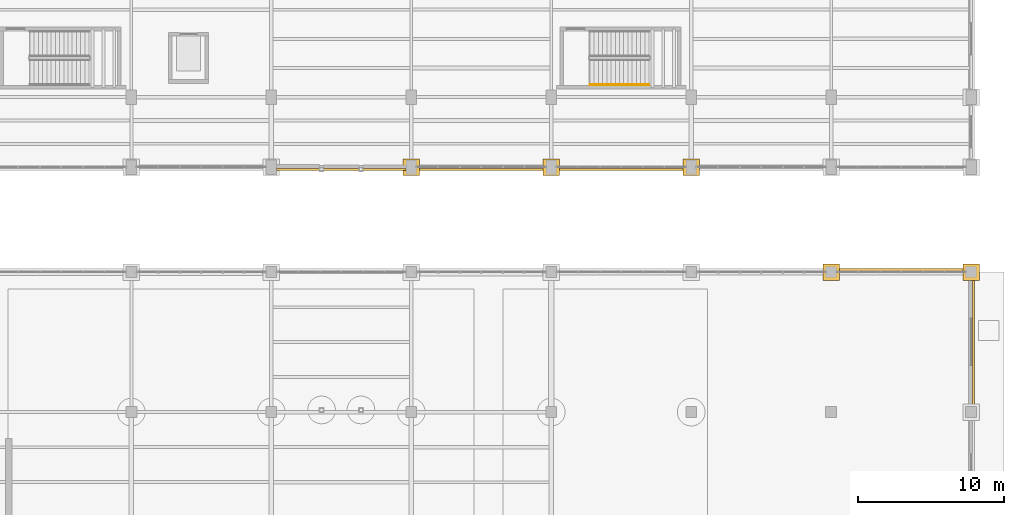
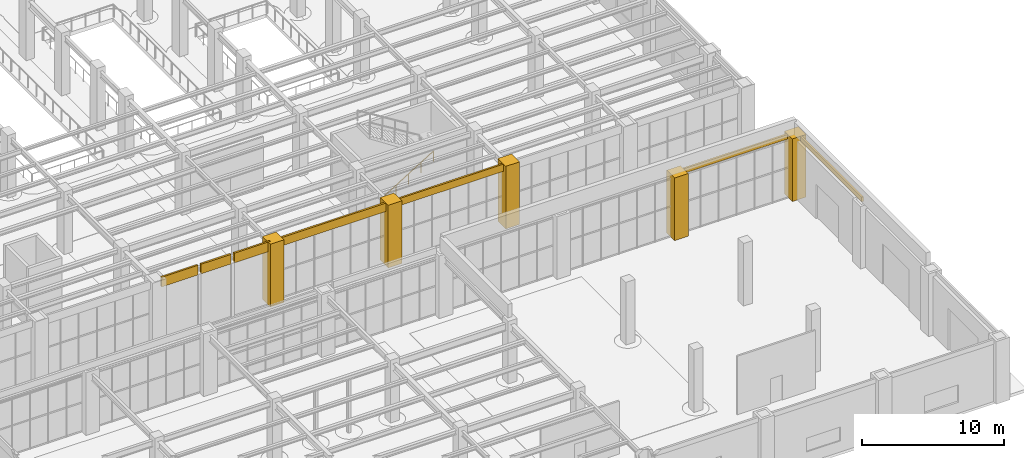
# One storey, part 159 of 164: 12 coverings, 1 railing.
"""IFC4 building model written with IfcOpenShell, lengths in metres."""

import ifcopenshell
import ifcopenshell.guid

model = None  # the IFC model being written
_history = None  # IfcOwnerHistory: only IFC2X3 demands one
_inside = {}  # id of a spatial element -> (the spatial element, [elements in it])
_under = {}  # id of a project, library or spatial element -> (it, [spatial elements below it])
_declared = {}  # id of a project -> (the project, [libraries it declares])
_typed = {}  # id of a type object -> (the type object, [elements of that type])
_made_of = {}  # id of a material, layer set ... -> (it, [elements and type objects made of it])


def new_model(schema):
    """Start an empty IFC model of exactly this schema.

    Asked for "IFC4X3", IfcOpenShell would pick the latest addendum, in which some entities
    have other attributes; the version numbers below select the first issue.
    IFC2X3 requires an IfcOwnerHistory on every rooted entity: one is made here for all.
    """
    global model, _history
    if schema == "IFC4X3":
        model = ifcopenshell.file(schema_version=(4, 3, 0, 0))
    else:
        model = ifcopenshell.file(schema=schema)
    _inside.clear()
    _under.clear()
    _declared.clear()
    _typed.clear()
    _made_of.clear()
    _history = None
    if model.schema == "IFC2X3":
        org = make("IfcOrganization", Name="unknown")
        user = make(
            "IfcPersonAndOrganization",
            ThePerson=make("IfcPerson", FamilyName="unknown"),
            TheOrganization=org,
        )
        app = make(
            "IfcApplication",
            ApplicationDeveloper=org,
            Version="unknown",
            ApplicationFullName="unknown",
            ApplicationIdentifier="unknown",
        )
        _history = make(
            "IfcOwnerHistory",
            OwningUser=user,
            OwningApplication=app,
            ChangeAction="ADDED",
            CreationDate=0,
        )
    return model


def make(cls, **values):
    """One entity of the class cls with the attributes given. An attribute that is None is left unset."""
    return model.create_entity(
        cls, **{name: value for name, value in values.items() if value is not None}
    )


def rooted(cls, **values):
    """An entity with a GlobalId (a new one), such as an element, a storey or a relation."""
    return make(cls, GlobalId=ifcopenshell.guid.new(), OwnerHistory=_history, **values)


def si_unit(unit_type, name, prefix=None):
    """IfcSIUnit, for example si_unit("LENGTHUNIT", "METRE", prefix="MILLI")."""
    return make("IfcSIUnit", UnitType=unit_type, Prefix=prefix, Name=name)


def assignment(units):
    """IfcUnitAssignment: the units of a project."""
    return None if units is None else make("IfcUnitAssignment", Units=units)


def point(xyz):
    """IfcCartesianPoint."""
    return None if xyz is None else make("IfcCartesianPoint", Coordinates=xyz)


def direction(xyz):
    """IfcDirection."""
    return None if xyz is None else make("IfcDirection", DirectionRatios=xyz)


def frame(location, z_axis=None, x_axis=None):
    """IfcAxis2Placement3D, a coordinate frame: its origin and axes. An axis left out is left unset."""
    return make(
        "IfcAxis2Placement3D",
        Location=point(location),
        Axis=direction(z_axis),
        RefDirection=direction(x_axis),
    )


def frame_2d(location, x_axis=None):
    """IfcAxis2Placement2D, a coordinate frame in the plane: its origin and x axis."""
    return make(
        "IfcAxis2Placement2D", Location=point(location), RefDirection=direction(x_axis)
    )


def origin():
    """The frame at (0, 0, 0) with its axes left unset."""
    return frame((0.0, 0.0, 0.0))


def origin_2d():
    """The frame at (0, 0) in the plane with its x axis left unset."""
    return frame_2d((0.0, 0.0))


def place(relative_to, where):
    """IfcLocalPlacement: puts the frame where relative to a parent placement (None: the world)."""
    return make(
        "IfcLocalPlacement", PlacementRelTo=relative_to, RelativePlacement=where
    )


def context(
    kind, dimensions, precision=None, world=None, true_north=None, identifier=None
):
    """IfcGeometricRepresentationContext, for example the 3D "Model" context."""
    return make(
        "IfcGeometricRepresentationContext",
        ContextIdentifier=identifier,
        ContextType=kind,
        CoordinateSpaceDimension=dimensions,
        Precision=precision,
        WorldCoordinateSystem=world,
        TrueNorth=true_north,
    )


def subcontext(parent, identifier, kind, view, scale=None):
    """IfcGeometricRepresentationSubContext, for example "Body" below "Model"."""
    return make(
        "IfcGeometricRepresentationSubContext",
        ContextIdentifier=identifier,
        ContextType=kind,
        ParentContext=parent,
        TargetScale=scale,
        TargetView=view,
    )


def project(units=None, contexts=None):
    """IfcProject with its units and contexts."""
    return rooted(
        "IfcProject",
        Name="project",
        RepresentationContexts=contexts,
        UnitsInContext=assignment(units),
    )


def spatial(cls, under=None, at=None, **own):
    """A site, building, storey or space (cls), placed at a placement, below another one or the project."""
    s = rooted(cls, ObjectPlacement=at, **own)
    if under is not None:
        _under.setdefault(under.id(), (under, []))[1].append(s)
    return s


def polyline(points):
    """IfcPolyline through the points."""
    return make("IfcPolyline", Points=[point(p) for p in points])


def profile(cls, at=None, kind="AREA", **sizes):
    """A parametric profile (cls). Its sizes go by their IFC names, for example OverallWidth=200.0."""
    return make(cls, ProfileType=kind, Position=at, **sizes)


def circle(**sizes):
    """IfcCircleProfileDef."""
    return profile("IfcCircleProfileDef", **sizes)


def outline(outer, holes=None, kind="AREA"):
    """IfcArbitraryClosedProfileDef: a profile drawn as a closed curve; with holes, ...WithVoids."""
    if holes is None:
        return make("IfcArbitraryClosedProfileDef", ProfileType=kind, OuterCurve=outer)
    return make(
        "IfcArbitraryProfileDefWithVoids",
        ProfileType=kind,
        OuterCurve=outer,
        InnerCurves=holes,
    )


def extrude(swept, where, along, depth):
    """IfcExtrudedAreaSolid: the profile swept, set in the frame where, extruded along a direction by depth."""
    return make(
        "IfcExtrudedAreaSolid",
        SweptArea=swept,
        Position=where,
        ExtrudedDirection=direction(along),
        Depth=depth,
    )


def shape(context_of_items, identifier, shape_type, items):
    """IfcShapeRepresentation: the items that make up one representation, for example the "Body"."""
    return make(
        "IfcShapeRepresentation",
        ContextOfItems=context_of_items,
        RepresentationIdentifier=identifier,
        RepresentationType=shape_type,
        Items=items,
    )


def material(Name=None, Category=None):
    """IfcMaterial."""
    return make("IfcMaterial", Name=Name, Category=Category)


def layer(
    of_material, thickness, ventilated=None, Name=None, Category=None, Priority=None
):
    """IfcMaterialLayer: one layer of a wall or slab, of a material (None: an air gap)."""
    return make(
        "IfcMaterialLayer",
        Material=of_material,
        LayerThickness=thickness,
        IsVentilated=ventilated,
        Name=Name,
        Category=Category,
        Priority=Priority,
    )


def layer_set(layers, Name=None):
    """IfcMaterialLayerSet."""
    return make("IfcMaterialLayerSet", MaterialLayers=layers, LayerSetName=Name)


def made_of(thing, what):
    """Note that an element or type object is made of a material, layer set ...; save() writes the relation."""
    if what is not None:
        _made_of.setdefault(what.id(), (what, []))[1].append(thing)
    return thing


def type_object(cls, material=None, **own):
    """A type object (cls), such as IfcWallType, which elements share."""
    return made_of(rooted(cls, **own), material)


def element(
    cls,
    number,
    at=None,
    inside=None,
    cuts=None,
    type_object=None,
    material=None,
    context=None,
    identifier="Body",
    shape_type=None,
    held_by="IfcProductDefinitionShape",
    body=None,
    shapes=None,
    **own,
):
    """One element of the class cls, such as IfcWall. Its Tag is "e" and its number.

    at: its placement. inside: the storey or other place that contains it. cuts: it is an
    opening in that element (IfcRelVoidsElement). A single representation is given by context,
    identifier, shape_type and body (its items); several are given by shapes. held_by: the class
    of the entity that holds the representations. save() writes the other relations.
    """
    e = rooted(cls, Tag="e%d" % number, ObjectPlacement=at, **own)
    if body is not None:
        shapes = [shape(context, identifier, shape_type, body)]
    if shapes is not None:
        e.Representation = make(held_by, Representations=shapes)
    if inside is not None:
        _inside.setdefault(inside.id(), (inside, []))[1].append(e)
    if cuts is not None:
        rooted(
            "IfcRelVoidsElement", RelatingBuildingElement=cuts, RelatedOpeningElement=e
        )
    if type_object is not None:
        _typed.setdefault(type_object.id(), (type_object, []))[1].append(e)
    return made_of(e, material)


def aggregate(whole, parts):
    """IfcRelAggregates: a whole, such as a stair, and the parts it consists of."""
    return rooted("IfcRelAggregates", RelatingObject=whole, RelatedObjects=parts)


def save(model, path):
    """Write the relations noted so far, then the file.

    IfcRelAggregates (storeys below a building ...), IfcRelContainedInSpatialStructure (elements
    in a storey), IfcRelDefinesByType, IfcRelAssociatesMaterial and IfcRelDeclares: one each for
    every whole, place, type object, material and project.
    """
    for whole, parts in _under.values():
        aggregate(whole, parts)
    for where, things in _inside.values():
        rooted(
            "IfcRelContainedInSpatialStructure",
            RelatedElements=things,
            RelatingStructure=where,
        )
    for kind, things in _typed.values():
        rooted("IfcRelDefinesByType", RelatedObjects=things, RelatingType=kind)
    for what, things in _made_of.values():
        rooted("IfcRelAssociatesMaterial", RelatedObjects=things, RelatingMaterial=what)
    for by, libraries in _declared.values():
        rooted("IfcRelDeclares", RelatingContext=by, RelatedDefinitions=libraries)
    model.write(path)


model = new_model("IFC4")

# Units and contexts
model_context = context("Model", 3, precision=1e-05, world=origin(), true_north=direction((0.0, 1.0)))
body_context = subcontext(model_context, "Body", "Model", "MODEL_VIEW")
ifc_project = project(units=[si_unit("LENGTHUNIT", "METRE"), si_unit("AREAUNIT", "SQUARE_METRE"), si_unit("VOLUMEUNIT", "CUBIC_METRE"), si_unit("PLANEANGLEUNIT", "RADIAN"), si_unit("MASSUNIT", "GRAM", prefix="KILO")], contexts=[model_context])

# Site, building, storey
site_placement = place(None, origin())
site = spatial("IfcSite", under=ifc_project, at=site_placement, CompositionType="ELEMENT")
building_placement = place(site_placement, origin())
building = spatial("IfcBuilding", under=site, at=building_placement, Name="Mavantir Sound Aquarium", CompositionType="ELEMENT")
storey_placement = place(building_placement, origin())
storey = spatial("IfcBuildingStorey", under=building, at=storey_placement, Name="L00", CompositionType="ELEMENT", Elevation=0.0)

# Coverings
ifc_material_1 = material(Name="Honed Coral-Limestone & Glazed Terracotta Rainscreen Cladding", Category="masonry")
ifc_layer = layer(ifc_material_1, 0.06005859375, Name="Honed Coral-Limestone & Glazed Terracotta Rainscreen Cladding")
ifc_layer_set = layer_set([ifc_layer], Name="Honed Coral-Limestone & Glazed Terracotta Rainscreen Cladding")
covering_type = type_object("IfcCoveringType", Name="COV-CLAD-TC", PredefinedType="CLADDING", material=ifc_layer_set)
covering_1_placement = place(storey_placement, frame((0.0, 0.0, 4.571044921875)))
element("IfcCovering", 1, at=covering_1_placement, inside=storey, type_object=covering_type, Name="L00 Postmodern coral-limestone spandrel frieze 84", PredefinedType="CLADDING", context=body_context, shape_type="SweptSolid", body=[
    extrude(outline(polyline([(127.55810546875, 35.909912109375), (130.51708984375, 35.909912109375), (130.51708984375, 35.760009765625), (127.55810546875, 35.760009765625), (127.55810546875, 35.909912109375)])), origin(), (0.0, 0.0, 1.0), 0.828857421875),
])
covering_2_placement = place(storey_placement, frame((0.0, 0.0, 4.571044921875)))
element("IfcCovering", 2, at=covering_2_placement, inside=storey, type_object=covering_type, Name="L00 Postmodern coral-limestone spandrel frieze 85", PredefinedType="CLADDING", context=body_context, shape_type="SweptSolid", body=[
    extrude(outline(polyline([(130.782958984375, 35.909912109375), (133.217041015625, 35.909912109375), (133.217041015625, 35.760009765625), (130.782958984375, 35.760009765625), (130.782958984375, 35.909912109375)])), origin(), (0.0, 0.0, 1.0), 0.828857421875),
])
covering_3_placement = place(storey_placement, frame((0.0, 0.0, 4.571044921875)))
element("IfcCovering", 3, at=covering_3_placement, inside=storey, type_object=covering_type, Name="L00 Postmodern coral-limestone spandrel frieze 86", PredefinedType="CLADDING", context=body_context, shape_type="SweptSolid", body=[
    extrude(outline(polyline([(133.48291015625, 35.909912109375), (136.44189453125, 35.909912109375), (136.44189453125, 35.760009765625), (133.48291015625, 35.760009765625), (133.48291015625, 35.909912109375)])), origin(), (0.0, 0.0, 1.0), 0.828857421875),
])
covering_4_placement = place(storey_placement, frame((0.0, 0.0, 4.677978515625)))
element("IfcCovering", 4, at=covering_4_placement, inside=storey, type_object=covering_type, Name="L00 Postmodern coral-limestone spandrel frieze 87", PredefinedType="CLADDING", context=body_context, shape_type="SweptSolid", body=[
    extrude(outline(polyline([(137.157958984375, 35.909912109375), (146.0419921875, 35.909912109375), (146.0419921875, 35.760009765625), (137.157958984375, 35.760009765625), (137.157958984375, 35.909912109375)])), origin(), (0.0, 0.0, 1.0), 0.721923828125),
])
covering_5_placement = place(storey_placement, frame((0.0, 0.0, 4.782958984375)))
element("IfcCovering", 5, at=covering_5_placement, inside=storey, type_object=covering_type, Name="L00 Postmodern coral-limestone spandrel frieze 88", PredefinedType="CLADDING", context=body_context, shape_type="SweptSolid", body=[
    extrude(outline(polyline([(146.758056640625, 35.909912109375), (155.64208984375, 35.909912109375), (155.64208984375, 35.760009765625), (146.758056640625, 35.760009765625), (146.758056640625, 35.909912109375)])), origin(), (0.0, 0.0, 1.0), 0.616943359375),
])
covering_6_placement = place(storey_placement, frame((0.0, 0.0, 5.010009765625)))
element("IfcCovering", 6, at=covering_6_placement, inside=storey, type_object=covering_type, Name="L00 Postmodern coral-limestone spandrel frieze 125", PredefinedType="CLADDING", context=body_context, shape_type="SweptSolid", body=[
    extrude(outline(polyline([(175.2900390625, 19.5830078125), (175.2900390625, 28.4169921875), (175.43994140625, 28.4169921875), (175.43994140625, 19.5830078125), (175.2900390625, 19.5830078125)])), origin(), (0.0, 0.0, 1.0), 0.389892578125),
])
covering_7_placement = place(storey_placement, frame((0.0, 0.0, 5.010009765625)))
element("IfcCovering", 7, at=covering_7_placement, inside=storey, type_object=covering_type, Name="L00 Postmodern coral-limestone spandrel frieze 126", PredefinedType="CLADDING", context=body_context, shape_type="SweptSolid", body=[
    extrude(outline(polyline([(174.81689453125, 28.889892578125), (165.98291015625, 28.889892578125), (165.98291015625, 29.0400390625), (174.81689453125, 29.0400390625), (174.81689453125, 28.889892578125)])), origin(), (0.0, 0.0, 1.0), 0.389892578125),
])
covering_8_placement = place(storey_placement, origin())
element("IfcCovering", 8, at=covering_8_placement, inside=storey, type_object=covering_type, Name="L00 Postmodern coral-limestone pilaster casing 275", PredefinedType="CLADDING", context=body_context, shape_type="SweptSolid", body=[
    extrude(outline(polyline([(136.239990234375, 35.43994140625), (137.360107421875, 35.43994140625), (137.360107421875, 36.56005859375), (136.239990234375, 36.56005859375), (136.239990234375, 35.43994140625)])), origin(), (0.0, 0.0, 1.0), 5.39990234375),
])
covering_9_placement = place(storey_placement, origin())
element("IfcCovering", 9, at=covering_9_placement, inside=storey, type_object=covering_type, Name="L00 Postmodern coral-limestone pilaster casing 287", PredefinedType="CLADDING", context=body_context, shape_type="SweptSolid", body=[
    extrude(outline(polyline([(145.840087890625, 35.43994140625), (146.9599609375, 35.43994140625), (146.9599609375, 36.56005859375), (145.840087890625, 36.56005859375), (145.840087890625, 35.43994140625)])), origin(), (0.0, 0.0, 1.0), 5.39990234375),
])
covering_10_placement = place(storey_placement, origin())
element("IfcCovering", 10, at=covering_10_placement, inside=storey, type_object=covering_type, Name="L00 Postmodern coral-limestone pilaster casing 299", PredefinedType="CLADDING", context=body_context, shape_type="SweptSolid", body=[
    extrude(outline(polyline([(155.43994140625, 35.43994140625), (156.56005859375, 35.43994140625), (156.56005859375, 36.56005859375), (155.43994140625, 36.56005859375), (155.43994140625, 35.43994140625)])), origin(), (0.0, 0.0, 1.0), 5.39990234375),
])
covering_11_placement = place(storey_placement, origin())
element("IfcCovering", 11, at=covering_11_placement, inside=storey, type_object=covering_type, Name="L00 Postmodern coral-limestone pilaster casing 462", PredefinedType="CLADDING", context=body_context, shape_type="SweptSolid", body=[
    extrude(outline(polyline([(165.0400390625, 28.239990234375), (166.159912109375, 28.239990234375), (166.159912109375, 29.360107421875), (165.0400390625, 29.360107421875), (165.0400390625, 28.239990234375)])), origin(), (0.0, 0.0, 1.0), 5.39990234375),
])
covering_12_placement = place(storey_placement, origin())
element("IfcCovering", 12, at=covering_12_placement, inside=storey, type_object=covering_type, Name="L00 Postmodern coral-limestone pilaster casing 466", PredefinedType="CLADDING", context=body_context, shape_type="SweptSolid", body=[
    extrude(outline(polyline([(174.639892578125, 28.239990234375), (175.760009765625, 28.239990234375), (175.760009765625, 29.360107421875), (174.639892578125, 29.360107421875), (174.639892578125, 28.239990234375)])), origin(), (0.0, 0.0, 1.0), 5.39990234375),
])

# Railing
ifc_material_2 = material(Name="Brushed Stainless Steel 316 Handrail", Category="steel")
railing_type = type_object("IfcRailingType", Name="RL-HR-90", PredefinedType="HANDRAIL", material=ifc_material_2)
railing_placement = place(storey_placement, frame((149.050048828125, 41.64990234375, 0.364990234375)))
element("IfcRailing", 13, at=railing_placement, inside=storey, type_object=railing_type, Name="L00 ST12 stair handrail 1", PredefinedType="HANDRAIL", context=body_context, shape_type="SweptSolid", body=[
    extrude(circle(Radius=0.02392578125, at=origin_2d()), frame((0.0, 0.0, 0.89111328125), z_axis=(0.849641744969, 0.0, 0.527360318194), x_axis=(0.0, 1.0, 0.0)), (0.0, 0.0, 1.0), 4.778564453125),
    extrude(circle(Radius=0.02099609375, at=origin_2d()), origin(), (0.0, 0.0, 1.0), 0.866943359375),
    extrude(circle(Radius=0.02099609375, at=origin_2d()), frame((1.01513671875, 0.0, 0.6298828125)), (0.0, 0.0, 1.0), 0.866943359375),
    extrude(circle(Radius=0.02099609375, at=origin_2d()), frame((2.030029296875, 0.0, 1.260009765625)), (0.0, 0.0, 1.0), 0.866943359375),
    extrude(circle(Radius=0.02099609375, at=origin_2d()), frame((3.044921875, 0.0, 1.89013671875)), (0.0, 0.0, 1.0), 0.866943359375),
    extrude(circle(Radius=0.02099609375, at=origin_2d()), frame((4.06005859375, 0.0, 2.52001953125)), (0.0, 0.0, 1.0), 0.866943359375),
])

save(model, "model.ifc")
